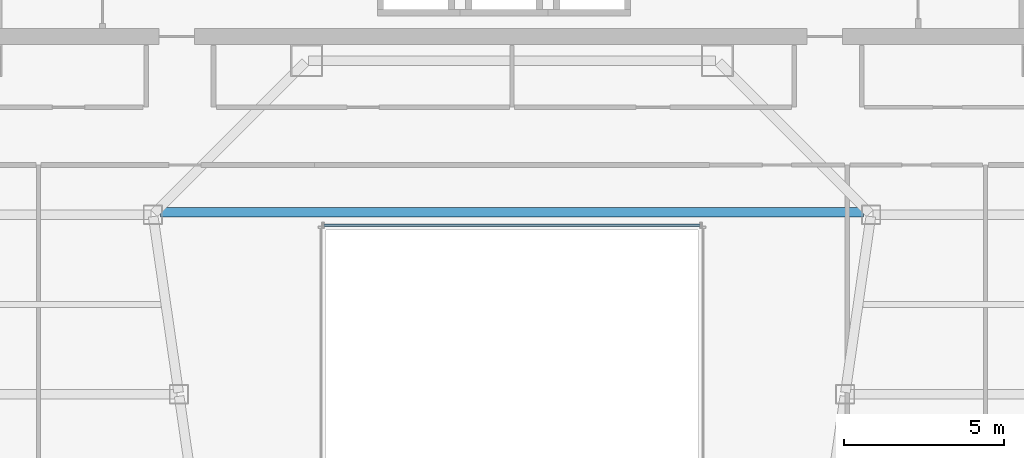
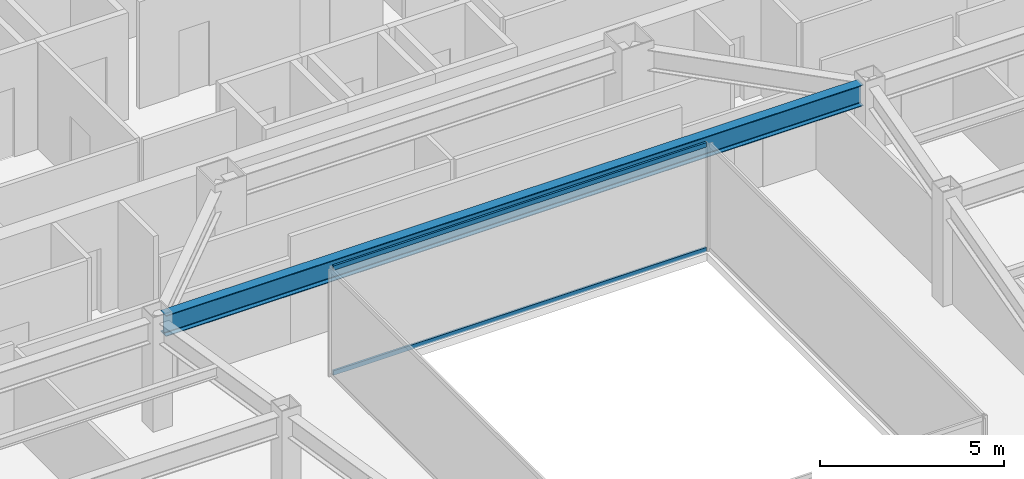
# One storey, part 12 of 36: 2 members, 1 beam, 1 element without a shape of its own.
"""IFC4 building model written with IfcOpenShell, lengths in metres."""

from ifc_helpers import new_model, si_unit, direction, frame, origin, origin_2d, place, context, subcontext, project, spatial, hollow_rectangle, i_section, extrude, material, material_profile, profile_set, type_object, element, aggregate, save


model = new_model("IFC4")

# Units and contexts
model_context = context("Model", 3, precision=1e-05, world=origin(), true_north=direction((0.0, 1.0)))
body_context = subcontext(model_context, "Body", "Model", "MODEL_VIEW")
ifc_project = project(units=[si_unit("LENGTHUNIT", "METRE"), si_unit("AREAUNIT", "SQUARE_METRE"), si_unit("VOLUMEUNIT", "CUBIC_METRE"), si_unit("PLANEANGLEUNIT", "RADIAN"), si_unit("MASSUNIT", "GRAM", prefix="KILO")], contexts=[model_context])

# Site, building, storey
site_placement = place(None, origin())
site = spatial("IfcSite", under=ifc_project, at=site_placement, CompositionType="ELEMENT")
building_placement = place(site_placement, origin())
building = spatial("IfcBuilding", under=site, at=building_placement, Name="Saevonmaru Cultural Tower", CompositionType="ELEMENT")
storey_placement = place(building_placement, frame((0.0, 0.0, 148.60009765625)))
storey = spatial("IfcBuildingStorey", under=building, at=storey_placement, Name="L32", CompositionType="ELEMENT", Elevation=148.60009765625)

# Beam
ifc_material_1 = material(Name="Steel SM355", Category="steel")
ifc_material_profile_1 = material_profile(ifc_material_1, i_section(OverallWidth=0.300048828125, OverallDepth=0.699951171875, WebThickness=0.012939453125, FlangeThickness=0.02392578125, FilletRadius=0.02587890625, at=origin_2d()), Name="H-700x300x13x24")
ifc_profile_set_1 = profile_set([ifc_material_profile_1], Name="Steel SM355")
beam_type = type_object("IfcBeamType", Name="BM-G-H700", PredefinedType="BEAM", material=ifc_profile_set_1)
beam_placement = place(storey_placement, frame((19.0458984375, 37.679931640625, 3.199951171875), z_axis=(1.0, 0.0, 0.0), x_axis=(0.0, 1.0, 0.0)))
element("IfcBeam", 1, at=beam_placement, inside=storey, type_object=beam_type, Name="L32 Central Link Girder", PredefinedType="BEAM", context=body_context, shape_type="SweptSolid", body=[
    extrude(i_section(OverallWidth=0.300048828125, OverallDepth=0.699951171875, WebThickness=0.012939453125, FlangeThickness=0.02392578125, FilletRadius=0.02587890625, at=origin_2d()), origin(), (0.0, 0.0, 1.0), 21.908203125),
])

# Curtain wall, members
ifc_material_2 = material(Name="Satin Bronze Anodised Aluminium", Category="aluminium")
curtain_wall_type = type_object("IfcCurtainWallType", Name="CW-ATR-GLZ", PredefinedType="NOTDEFINED", material=ifc_material_2)
curtain_wall_placement = place(storey_placement, origin())
curtain_wall = element("IfcCurtainWall", 2, at=curtain_wall_placement, inside=storey, type_object=curtain_wall_type, Name="L32 Vertical Atrium Glazed Smoke Screen 3", PredefinedType="NOTDEFINED")
ifc_material_profile_2 = material_profile(ifc_material_2, hollow_rectangle(XDim=0.06494140625, YDim=0.14990234375, WallThickness=0.00390625, at=origin_2d()), Name="ALU-TRAN-150x65x4")
ifc_profile_set_2 = profile_set([ifc_material_profile_2], Name="Satin Bronze Anodised Aluminium")
member_type = type_object("IfcMemberType", Name="TR-CW-INT-150x65", PredefinedType="USERDEFINED", material=ifc_profile_set_2)
member_1_placement = place(storey_placement, frame((35.857421875, 37.27001953125, 0.032470703125), z_axis=(-1.0, 0.0, 0.0), x_axis=(0.0, -1.0, 0.0)))
member_1 = element("IfcMember", 3, at=member_1_placement, type_object=member_type, Name="CW-ATR-L32-3 transom 1.1", ObjectType="TRANSOM", PredefinedType="USERDEFINED", context=body_context, shape_type="SweptSolid", body=[
    extrude(hollow_rectangle(XDim=0.06494140625, YDim=0.14990234375, WallThickness=0.00390625, at=origin_2d()), origin(), (0.0, 0.0, 1.0), 11.71484375),
])
member_2_placement = place(storey_placement, frame((35.857421875, 37.27001953125, 3.517333984375), z_axis=(-1.0, 0.0, 0.0), x_axis=(0.0, -1.0, 0.0)))
member_2 = element("IfcMember", 4, at=member_2_placement, type_object=member_type, Name="CW-ATR-L32-3 transom 1.2", ObjectType="TRANSOM", PredefinedType="USERDEFINED", context=body_context, shape_type="SweptSolid", body=[
    extrude(hollow_rectangle(XDim=0.06494140625, YDim=0.14990234375, WallThickness=0.00390625, at=origin_2d()), origin(), (0.0, 0.0, 1.0), 11.71484375),
])
aggregate(curtain_wall, [member_1, member_2])

save(model, "model.ifc")
